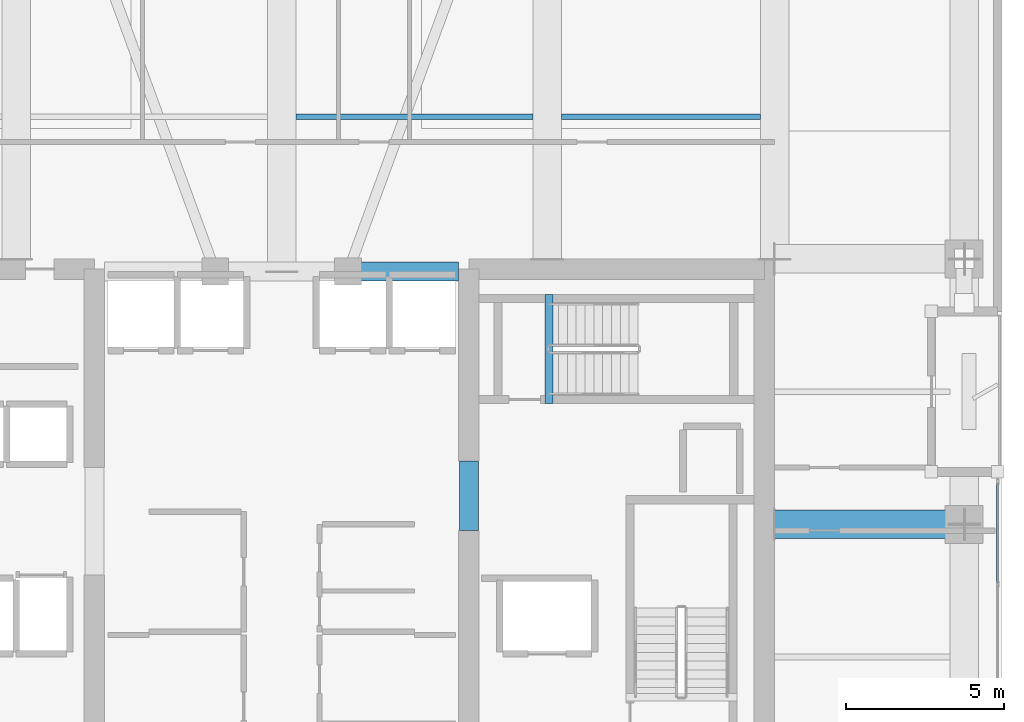
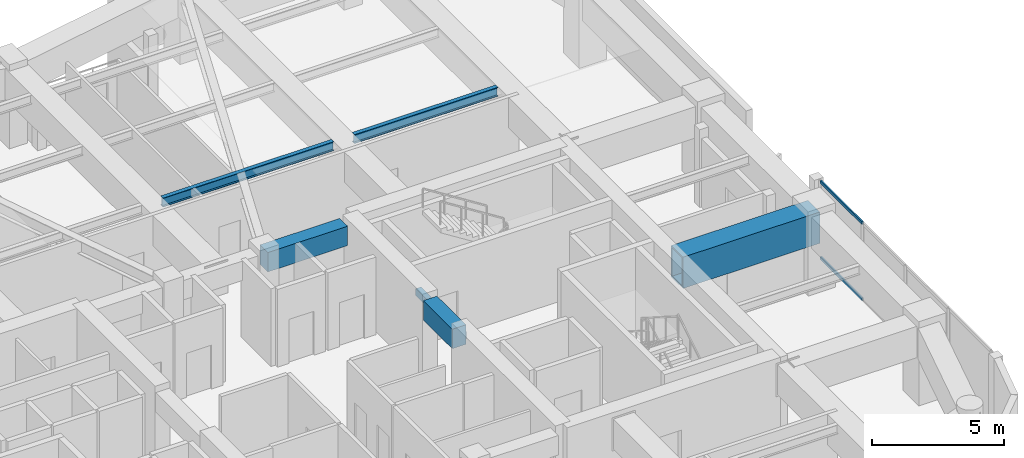
# One storey, part 10 of 30: 6 beams, 2 members, 1 element without a shape of its own.
"""IFC4 building model written with IfcOpenShell, lengths in metres."""

from ifc_helpers import new_model, si_unit, direction, frame, origin, origin_2d, place, context, subcontext, project, spatial, rectangle, hollow_rectangle, i_section, extrude, material, layer, layer_set, material_profile, profile_set, type_object, element, aggregate, save


model = new_model("IFC4")

# Units and contexts
model_context = context("Model", 3, precision=1e-05, world=origin(), true_north=direction((0.0, 1.0)))
body_context = subcontext(model_context, "Body", "Model", "MODEL_VIEW")
ifc_project = project(units=[si_unit("LENGTHUNIT", "METRE"), si_unit("AREAUNIT", "SQUARE_METRE"), si_unit("VOLUMEUNIT", "CUBIC_METRE"), si_unit("PLANEANGLEUNIT", "RADIAN"), si_unit("MASSUNIT", "GRAM", prefix="KILO")], contexts=[model_context])

# Site, building, storey
site_placement = place(None, origin())
site = spatial("IfcSite", under=ifc_project, at=site_placement, CompositionType="ELEMENT")
building_placement = place(site_placement, origin())
building = spatial("IfcBuilding", under=site, at=building_placement, Name="Kiyonajd Concourse Tower", CompositionType="ELEMENT")
storey_placement = place(building_placement, frame((0.0, 0.0, 205.800048828125)))
storey = spatial("IfcBuildingStorey", under=building, at=storey_placement, Name="L52", CompositionType="ELEMENT", Elevation=205.800048828125)

# Beams
ifc_material_1 = material(Name="Concrete C60/75", Category="concrete")
ifc_material_profile_1 = material_profile(ifc_material_1, rectangle(XDim=0.60009765625, YDim=0.89990234375, at=origin_2d()), Name="RCBM-600x900")
ifc_profile_set_1 = profile_set([ifc_material_profile_1], Name="Concrete C60/75")
beam_type_1 = type_object("IfcBeamType", Name="BM-COUP-900", PredefinedType="LINTEL", material=ifc_profile_set_1)
beam_1_placement = place(storey_placement, frame((50.10009765625, 44.0, 3.14990234375), z_axis=(1.0, 0.0, 0.0), x_axis=(0.0, 1.0, 0.0)))
element("IfcBeam", 1, at=beam_1_placement, inside=storey, type_object=beam_type_1, Name="L52 Core Coupling Beam N3", PredefinedType="LINTEL", context=body_context, shape_type="SweptSolid", body=[
    extrude(rectangle(XDim=0.60009765625, YDim=0.89990234375, at=origin_2d()), origin(), (0.0, 0.0, 1.0), 3.5),
])
beam_2_placement = place(storey_placement, frame((53.925048828125, 35.800048828125, 3.14990234375), z_axis=(0.0, 1.0, 0.0), x_axis=(-1.0, 0.0, 0.0)))
element("IfcBeam", 2, at=beam_2_placement, inside=storey, type_object=beam_type_1, Name="L52 East Core Throat Coupling Lintel", PredefinedType="LINTEL", context=body_context, shape_type="SweptSolid", body=[
    extrude(rectangle(XDim=0.60009765625, YDim=0.89990234375, at=origin_2d()), origin(), (0.0, 0.0, 1.0), 2.199951171875),
])
ifc_material_2 = material(Name="Steel ASTM A992 Grade 50", Category="steel")
ifc_material_profile_2 = material_profile(ifc_material_2, i_section(OverallWidth=0.180908203125, OverallDepth=0.4169921875, WebThickness=0.010986328125, FlangeThickness=0.018310546875, at=origin_2d()), Name="W410X85")
ifc_profile_set_2 = profile_set([ifc_material_profile_2], Name="Steel ASTM A992 Grade 50")
beam_type_2 = type_object("IfcBeamType", Name="BM-JST-410", PredefinedType="JOIST", material=ifc_profile_set_2)
beam_3_placement = place(storey_placement, frame((48.449951171875, 48.89990234375, 3.391357421875), z_axis=(1.0, 0.0, 0.0), x_axis=(0.0, 1.0, 0.0)))
element("IfcBeam", 3, at=beam_3_placement, inside=storey, type_object=beam_type_2, Name="L52 Secondary Floor Joist", PredefinedType="JOIST", context=body_context, shape_type="SweptSolid", body=[
    extrude(i_section(OverallWidth=0.180908203125, OverallDepth=0.4169921875, WebThickness=0.010986328125, FlangeThickness=0.018310546875, at=origin_2d()), origin(), (0.0, 0.0, 1.0), 7.5),
])
beam_4_placement = place(storey_placement, frame((56.85009765625, 48.89990234375, 3.391357421875), z_axis=(1.0, 0.0, 0.0), x_axis=(0.0, 1.0, 0.0)))
element("IfcBeam", 4, at=beam_4_placement, inside=storey, type_object=beam_type_2, Name="L52 Secondary Floor Joist", PredefinedType="JOIST", context=body_context, shape_type="SweptSolid", body=[
    extrude(i_section(OverallWidth=0.180908203125, OverallDepth=0.4169921875, WebThickness=0.010986328125, FlangeThickness=0.018310546875, at=origin_2d()), origin(), (0.0, 0.0, 1.0), 6.2998046875),
])
ifc_material_3 = material(Name="Concrete C50/60", Category="concrete")
ifc_material_profile_3 = material_profile(ifc_material_3, rectangle(XDim=0.239990234375, YDim=0.320068359375, at=origin_2d()), Name="RCBM-240x320")
ifc_profile_set_3 = profile_set([ifc_material_profile_3], Name="Concrete C50/60")
beam_type_3 = type_object("IfcBeamType", Name="BM-LNT-250", PredefinedType="LINTEL", material=ifc_profile_set_3)
beam_5_placement = place(storey_placement, frame((56.4599609375, 39.820068359375, -0.16015625), z_axis=(0.0, 1.0, 0.0), x_axis=(-1.0, 0.0, 0.0)))
element("IfcBeam", 5, at=beam_5_placement, inside=storey, type_object=beam_type_3, Name="L52 Stair ST3 Threshold Support Beam", PredefinedType="LINTEL", context=body_context, shape_type="SweptSolid", body=[
    extrude(rectangle(XDim=0.239990234375, YDim=0.320068359375, at=origin_2d()), origin(), (0.0, 0.0, 1.0), 3.4599609375),
])
ifc_material_4 = material(Name="Steel ASTM A572 Grade 50", Category="steel")
ifc_material_profile_4 = material_profile(ifc_material_4, hollow_rectangle(XDim=0.89990234375, YDim=1.449951171875, WallThickness=0.074951171875, at=origin_2d()), Name="BOX-1450x900x75")
ifc_profile_set_4 = profile_set([ifc_material_profile_4], Name="Steel ASTM A572 Grade 50")
beam_type_4 = type_object("IfcBeamType", Name="BM-XFER-1800", PredefinedType="BEAM", material=ifc_profile_set_4)
beam_6_placement = place(storey_placement, frame((63.60009765625, 36.0, 2.875), z_axis=(1.0, 0.0, 0.0), x_axis=(0.0, 1.0, 0.0)))
element("IfcBeam", 6, at=beam_6_placement, inside=storey, type_object=beam_type_4, Name="L52 East Lease Girder", PredefinedType="BEAM", context=body_context, shape_type="SweptSolid", body=[
    extrude(hollow_rectangle(XDim=0.89990234375, YDim=1.449951171875, WallThickness=0.074951171875, at=origin_2d()), origin(), (0.0, 0.0, 1.0), 6.0),
])

# Curtain wall, members
ifc_material_5 = material(Name="Thermally Broken Anodised Aluminium", Category="aluminium")
ifc_layer = layer(ifc_material_5, 0.179931640625)
ifc_layer_set = layer_set([ifc_layer], Name="Thermally Broken Anodised Aluminium")
curtain_wall_type = type_object("IfcCurtainWallType", Name="CW-SYS-03", PredefinedType="NOTDEFINED", material=ifc_layer_set)
curtain_wall_placement = place(storey_placement, origin())
curtain_wall = element("IfcCurtainWall", 7, at=curtain_wall_placement, inside=storey, type_object=curtain_wall_type, Name="L52 Unitised Curtain Wall CW3", PredefinedType="NOTDEFINED")
ifc_material_profile_5 = material_profile(ifc_material_5, hollow_rectangle(XDim=0.06494140625, YDim=0.139892578125, WallThickness=0.00390625, at=origin_2d()), Name="TRAN-65x140")
ifc_profile_set_5 = profile_set([ifc_material_profile_5], Name="Thermally Broken Anodised Aluminium")
member_type = type_object("IfcMemberType", Name="MB-CW-TRAN1", PredefinedType="USERDEFINED", material=ifc_profile_set_5)
member_1_placement = place(storey_placement, frame((70.659912109375, 37.304931640625, 0.032470703125), z_axis=(0.0, -1.0, 0.0), x_axis=(1.0, 0.0, 0.0)))
member_1 = element("IfcMember", 8, at=member_1_placement, type_object=member_type, Name="CW3 transom 1.1", ObjectType="TRANSOM", PredefinedType="USERDEFINED", context=body_context, shape_type="SweptSolid", body=[
    extrude(hollow_rectangle(XDim=0.06494140625, YDim=0.139892578125, WallThickness=0.00390625, at=origin_2d()), origin(), (0.0, 0.0, 1.0), 3.167724609375),
])
member_2_placement = place(storey_placement, frame((70.659912109375, 37.304931640625, 3.5673828125), z_axis=(0.0, -1.0, 0.0), x_axis=(1.0, 0.0, 0.0)))
member_2 = element("IfcMember", 9, at=member_2_placement, type_object=member_type, Name="CW3 transom 1.2", ObjectType="TRANSOM", PredefinedType="USERDEFINED", context=body_context, shape_type="SweptSolid", body=[
    extrude(hollow_rectangle(XDim=0.06494140625, YDim=0.139892578125, WallThickness=0.00390625, at=origin_2d()), origin(), (0.0, 0.0, 1.0), 3.167724609375),
])
aggregate(curtain_wall, [member_1, member_2])

save(model, "model.ifc")
